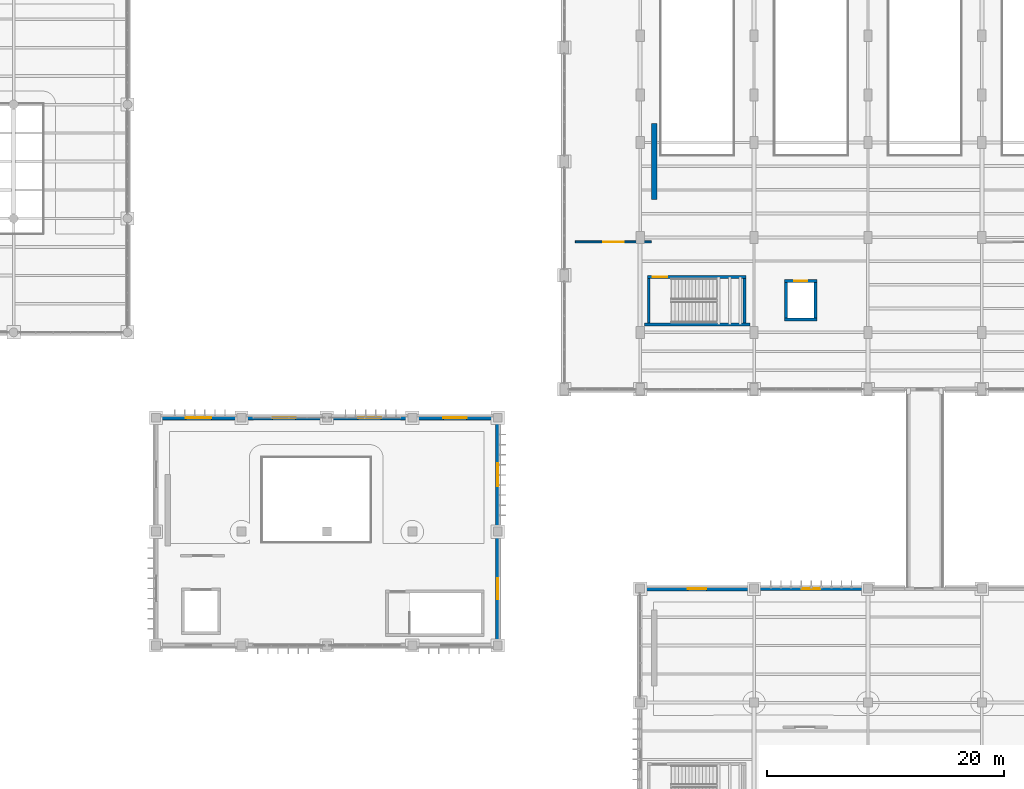
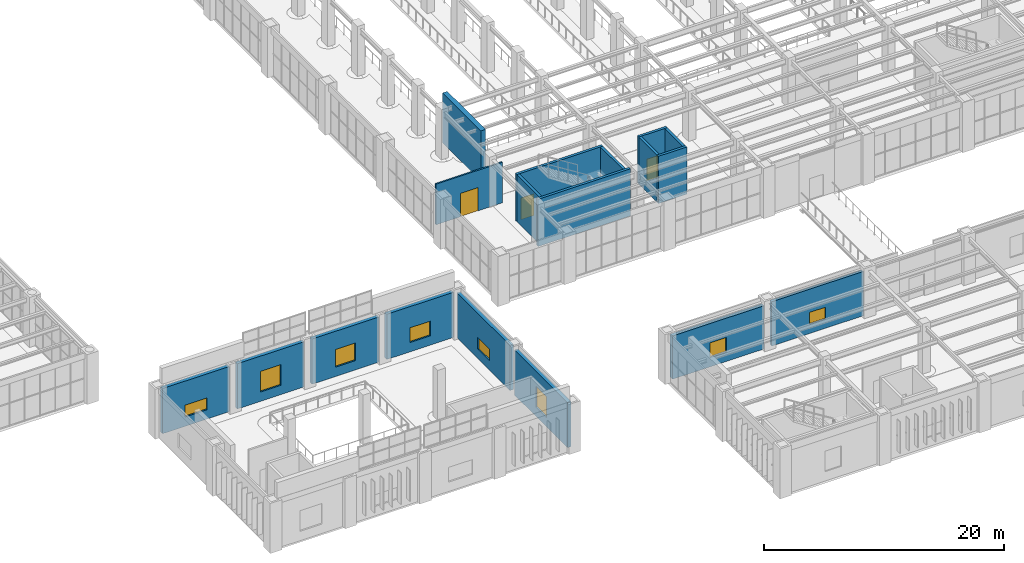
# One storey, part 143 of 174: 18 walls, 8 windows, 3 doors, 11 openings.
"""IFC4 building model written with IfcOpenShell, lengths in metres."""

from ifc_helpers import new_model, si_unit, direction, frame, frame_2d, origin, place, context, subcontext, project, spatial, rectangle, extrude, material, layer, layer_set, type_object, element, fill, save


model = new_model("IFC4")

# Units and contexts
model_context = context("Model", 3, precision=1e-05, world=origin(), true_north=direction((0.0, 1.0)))
body_context = subcontext(model_context, "Body", "Model", "MODEL_VIEW")
ifc_project = project(units=[si_unit("LENGTHUNIT", "METRE"), si_unit("AREAUNIT", "SQUARE_METRE"), si_unit("VOLUMEUNIT", "CUBIC_METRE"), si_unit("PLANEANGLEUNIT", "RADIAN"), si_unit("MASSUNIT", "GRAM", prefix="KILO")], contexts=[model_context])

# Site, building, storey
site_placement = place(None, origin())
site = spatial("IfcSite", under=ifc_project, at=site_placement, CompositionType="ELEMENT")
building_placement = place(site_placement, origin())
building = spatial("IfcBuilding", under=site, at=building_placement, Name="Mavantir Sound Aquarium", CompositionType="ELEMENT")
storey_placement = place(building_placement, frame((0.0, 0.0, 5.39990234375)))
storey = spatial("IfcBuildingStorey", under=building, at=storey_placement, Name="L01", CompositionType="ELEMENT", Elevation=5.39990234375)

# Wall, opening, window
ifc_material_1 = material(Name="Coral-Buff Architectural Precast Concrete C40/50", Category="concrete")
ifc_layer_1 = layer(ifc_material_1, 0.340087890625, Name="Coral-Buff Architectural Precast Concrete C40/50")
ifc_layer_set_1 = layer_set([ifc_layer_1], Name="Coral-Buff Architectural Precast Concrete C40/50")
wall_type_1 = type_object("IfcWallType", Name="EW-CORAL-340", PredefinedType="SOLIDWALL", material=ifc_layer_set_1)
wall_1_placement = place(storey_placement, frame((96.0, 14.782958984375, 0.0), z_axis=(0.0, 0.0, 1.0), x_axis=(0.0, 1.0, 0.0)))
wall_1 = element("IfcWall", 1, at=wall_1_placement, inside=storey, type_object=wall_type_1, Name="L01 exterior facade wall EW-01 191", PredefinedType="SOLIDWALL", context=body_context, shape_type="SweptSolid", body=[
    extrude(rectangle(XDim=8.833984375, YDim=0.340087890625, at=frame_2d((4.4169921875, 0.0))), origin(), (0.0, 0.0, 1.0), 4.605712890625),
])
opening_1_placement = place(wall_1_placement, frame((3.5419921875, 0.0, 0.949951171875)))
opening_1 = element("IfcOpeningElement", 2, at=opening_1_placement, cuts=wall_1, Name="Opening W-20", PredefinedType="OPENING", context=body_context, shape_type="SweptSolid", body=[
    extrude(rectangle(XDim=1.75, YDim=2.10009765625, at=frame_2d((0.875, 1.050048828125))), frame((0.0, 0.18017578125, 0.0), z_axis=(0.0, -1.0, 0.0), x_axis=(1.0, 0.0, 0.0)), (0.0, 0.0, 1.0), 0.360107421875),
])
ifc_material_2 = material(Name="Thermally Broken Aluminium and Low-E Glass", Category="aluminium")
window_type_1 = type_object("IfcWindowType", Name="WIN-EXT-20", PartitioningType="DOUBLE_PANEL_VERTICAL", PredefinedType="WINDOW", material=ifc_material_2)
window_1_placement = place(opening_1_placement, origin())
window_1 = element("IfcWindow", 3, at=window_1_placement, inside=storey, type_object=window_type_1, Name="L01 facade window W-20 68", OverallHeight=2.10009765625, OverallWidth=1.75, PartitioningType="SINGLE_PANEL", PredefinedType="WINDOW", context=body_context, shape_type="SweptSolid", body=[
    extrude(rectangle(XDim=1.75, YDim=2.10009765625, at=frame_2d((0.875, 1.050048828125))), frame((0.0, 0.030029296875, 0.0), z_axis=(0.0, -1.0, 0.0), x_axis=(1.0, 0.0, 0.0)), (0.0, 0.0, 1.0), 0.06005859375),
])
fill(opening_1, window_1)

wall_2_placement = place(storey_placement, frame((96.0, 24.383056640625, 0.0), z_axis=(0.0, 0.0, 1.0), x_axis=(0.0, 1.0, 0.0)))
wall_2 = element("IfcWall", 4, at=wall_2_placement, inside=storey, type_object=wall_type_1, Name="L01 exterior facade wall EW-01 192", PredefinedType="SOLIDWALL", context=body_context, shape_type="SweptSolid", body=[
    extrude(rectangle(XDim=8.833984375, YDim=0.340087890625, at=frame_2d((4.4169921875, 0.0))), origin(), (0.0, 0.0, 1.0), 4.605712890625),
])
opening_2_placement = place(wall_2_placement, frame((3.44189453125, 0.0, 0.949951171875)))
opening_2 = element("IfcOpeningElement", 5, at=opening_2_placement, cuts=wall_2, Name="Opening W-21", PredefinedType="OPENING", context=body_context, shape_type="SweptSolid", body=[
    extrude(rectangle(XDim=1.949951171875, YDim=1.199951171875, at=frame_2d((0.97509765625, 0.60009765625))), frame((0.0, 0.18017578125, 0.0), z_axis=(0.0, -1.0, 0.0), x_axis=(1.0, 0.0, 0.0)), (0.0, 0.0, 1.0), 0.360107421875),
])
window_type_2 = type_object("IfcWindowType", Name="WIN-EXT-21", PartitioningType="DOUBLE_PANEL_VERTICAL", PredefinedType="WINDOW", material=ifc_material_2)
window_2_placement = place(opening_2_placement, origin())
window_2 = element("IfcWindow", 6, at=window_2_placement, inside=storey, type_object=window_type_2, Name="L01 facade window W-21 69", OverallHeight=1.199951171875, OverallWidth=1.949951171875, PartitioningType="SINGLE_PANEL", PredefinedType="WINDOW", context=body_context, shape_type="SweptSolid", body=[
    extrude(rectangle(XDim=1.949951171875, YDim=1.199951171875, at=frame_2d((0.97509765625, 0.60009765625))), frame((0.0, 0.030029296875, 0.0), z_axis=(0.0, -1.0, 0.0), x_axis=(1.0, 0.0, 0.0)), (0.0, 0.0, 1.0), 0.06005859375),
])
fill(opening_2, window_2)

wall_3_placement = place(storey_placement, frame((95.616943359375, 33.60009765625, 0.0), z_axis=(0.0, 0.0, 1.0), x_axis=(-1.0, 0.0, 0.0)))
wall_3 = element("IfcWall", 7, at=wall_3_placement, inside=storey, type_object=wall_type_1, Name="L01 exterior facade wall EW-01 193", PredefinedType="SOLIDWALL", context=body_context, shape_type="SweptSolid", body=[
    extrude(rectangle(XDim=6.433837890625, YDim=0.340087890625, at=frame_2d((3.216796875, 0.0))), origin(), (0.0, 0.0, 1.0), 4.605712890625),
])
opening_3_placement = place(wall_3_placement, frame((2.241943359375, 0.0, 0.949951171875)))
opening_3 = element("IfcOpeningElement", 8, at=opening_3_placement, cuts=wall_3, Name="Opening W-22", PredefinedType="OPENING", context=body_context, shape_type="SweptSolid", body=[
    extrude(rectangle(XDim=1.949951171875, YDim=1.5, at=frame_2d((0.97509765625, 0.75))), frame((0.0, 0.18017578125, 0.0), z_axis=(0.0, -1.0, 0.0), x_axis=(1.0, 0.0, 0.0)), (0.0, 0.0, 1.0), 0.360107421875),
])
window_type_3 = type_object("IfcWindowType", Name="WIN-EXT-22", PartitioningType="DOUBLE_PANEL_VERTICAL", PredefinedType="WINDOW", material=ifc_material_2)
window_3_placement = place(opening_3_placement, origin())
window_3 = element("IfcWindow", 9, at=window_3_placement, inside=storey, type_object=window_type_3, Name="L01 facade window W-22 70", OverallHeight=1.5, OverallWidth=1.949951171875, PartitioningType="SINGLE_PANEL", PredefinedType="WINDOW", context=body_context, shape_type="SweptSolid", body=[
    extrude(rectangle(XDim=1.949951171875, YDim=1.5, at=frame_2d((0.97509765625, 0.75))), frame((0.0, 0.030029296875, 0.0), z_axis=(0.0, -1.0, 0.0), x_axis=(1.0, 0.0, 0.0)), (0.0, 0.0, 1.0), 0.06005859375),
])
fill(opening_3, window_3)

wall_4_placement = place(storey_placement, frame((88.4169921875, 33.60009765625, 0.0), z_axis=(0.0, 0.0, 1.0), x_axis=(-1.0, 0.0, 0.0)))
wall_4 = element("IfcWall", 10, at=wall_4_placement, inside=storey, type_object=wall_type_1, Name="L01 exterior facade wall EW-01 194", PredefinedType="SOLIDWALL", context=body_context, shape_type="SweptSolid", body=[
    extrude(rectangle(XDim=6.43408203125, YDim=0.340087890625, at=frame_2d((3.217041015625, 0.0))), origin(), (0.0, 0.0, 1.0), 4.605712890625),
])
opening_4_placement = place(wall_4_placement, frame((2.241943359375, 0.0, 0.949951171875)))
opening_4 = element("IfcOpeningElement", 11, at=opening_4_placement, cuts=wall_4, Name="Opening W-23", PredefinedType="OPENING", context=body_context, shape_type="SweptSolid", body=[
    extrude(rectangle(XDim=1.949951171875, YDim=1.800048828125, at=frame_2d((0.97509765625, 0.89990234375))), frame((0.0, 0.18017578125, 0.0), z_axis=(0.0, -1.0, 0.0), x_axis=(1.0, 0.0, 0.0)), (0.0, 0.0, 1.0), 0.360107421875),
])
window_type_4 = type_object("IfcWindowType", Name="WIN-EXT-23", PartitioningType="DOUBLE_PANEL_VERTICAL", PredefinedType="WINDOW", material=ifc_material_2)
window_4_placement = place(opening_4_placement, origin())
window_4 = element("IfcWindow", 12, at=window_4_placement, inside=storey, type_object=window_type_4, Name="L01 facade window W-23 71", OverallHeight=1.800048828125, OverallWidth=1.949951171875, PartitioningType="SINGLE_PANEL", PredefinedType="WINDOW", context=body_context, shape_type="SweptSolid", body=[
    extrude(rectangle(XDim=1.949951171875, YDim=1.800048828125, at=frame_2d((0.97509765625, 0.89990234375))), frame((0.0, 0.030029296875, 0.0), z_axis=(0.0, -1.0, 0.0), x_axis=(1.0, 0.0, 0.0)), (0.0, 0.0, 1.0), 0.06005859375),
])
fill(opening_4, window_4)

wall_5_placement = place(storey_placement, frame((81.217041015625, 33.60009765625, 0.0), z_axis=(0.0, 0.0, 1.0), x_axis=(-1.0, 0.0, 0.0)))
wall_5 = element("IfcWall", 13, at=wall_5_placement, inside=storey, type_object=wall_type_1, Name="L01 exterior facade wall EW-01 195", PredefinedType="SOLIDWALL", context=body_context, shape_type="SweptSolid", body=[
    extrude(rectangle(XDim=6.43408203125, YDim=0.340087890625, at=frame_2d((3.217041015625, 0.0))), origin(), (0.0, 0.0, 1.0), 4.605712890625),
])
opening_5_placement = place(wall_5_placement, frame((2.241943359375, 0.0, 0.949951171875)))
opening_5 = element("IfcOpeningElement", 14, at=opening_5_placement, cuts=wall_5, Name="Opening W-24", PredefinedType="OPENING", context=body_context, shape_type="SweptSolid", body=[
    extrude(rectangle(XDim=1.949951171875, YDim=2.10009765625, at=frame_2d((0.97509765625, 1.050048828125))), frame((0.0, 0.18017578125, 0.0), z_axis=(0.0, -1.0, 0.0), x_axis=(1.0, 0.0, 0.0)), (0.0, 0.0, 1.0), 0.360107421875),
])
window_type_5 = type_object("IfcWindowType", Name="WIN-EXT-24", PartitioningType="DOUBLE_PANEL_VERTICAL", PredefinedType="WINDOW", material=ifc_material_2)
window_5_placement = place(opening_5_placement, origin())
window_5 = element("IfcWindow", 15, at=window_5_placement, inside=storey, type_object=window_type_5, Name="L01 facade window W-24 72", OverallHeight=2.10009765625, OverallWidth=1.949951171875, PartitioningType="SINGLE_PANEL", PredefinedType="WINDOW", context=body_context, shape_type="SweptSolid", body=[
    extrude(rectangle(XDim=1.949951171875, YDim=2.10009765625, at=frame_2d((0.97509765625, 1.050048828125))), frame((0.0, 0.030029296875, 0.0), z_axis=(0.0, -1.0, 0.0), x_axis=(1.0, 0.0, 0.0)), (0.0, 0.0, 1.0), 0.06005859375),
])
fill(opening_5, window_5)

wall_6_placement = place(storey_placement, frame((74.01708984375, 33.60009765625, 0.0), z_axis=(0.0, 0.0, 1.0), x_axis=(-1.0, 0.0, 0.0)))
wall_6 = element("IfcWall", 16, at=wall_6_placement, inside=storey, type_object=wall_type_1, Name="L01 exterior facade wall EW-01 196", PredefinedType="SOLIDWALL", context=body_context, shape_type="SweptSolid", body=[
    extrude(rectangle(XDim=6.43408203125, YDim=0.340087890625, at=frame_2d((3.217041015625, 0.0))), origin(), (0.0, 0.0, 1.0), 4.605712890625),
])
opening_6_placement = place(wall_6_placement, frame((2.14208984375, 0.0, 0.949951171875)))
opening_6 = element("IfcOpeningElement", 17, at=opening_6_placement, cuts=wall_6, Name="Opening W-25", PredefinedType="OPENING", context=body_context, shape_type="SweptSolid", body=[
    extrude(rectangle(XDim=2.14990234375, YDim=1.199951171875, at=frame_2d((1.074951171875, 0.60009765625))), frame((0.0, 0.18017578125, 0.0), z_axis=(0.0, -1.0, 0.0), x_axis=(1.0, 0.0, 0.0)), (0.0, 0.0, 1.0), 0.360107421875),
])
window_type_6 = type_object("IfcWindowType", Name="WIN-EXT-25", PartitioningType="DOUBLE_PANEL_VERTICAL", PredefinedType="WINDOW", material=ifc_material_2)
window_6_placement = place(opening_6_placement, origin())
window_6 = element("IfcWindow", 18, at=window_6_placement, inside=storey, type_object=window_type_6, Name="L01 facade window W-25 73", OverallHeight=1.199951171875, OverallWidth=2.14990234375, PartitioningType="SINGLE_PANEL", PredefinedType="WINDOW", context=body_context, shape_type="SweptSolid", body=[
    extrude(rectangle(XDim=2.14990234375, YDim=1.199951171875, at=frame_2d((1.074951171875, 0.60009765625))), frame((0.0, 0.030029296875, 0.0), z_axis=(0.0, -1.0, 0.0), x_axis=(1.0, 0.0, 0.0)), (0.0, 0.0, 1.0), 0.06005859375),
])
fill(opening_6, window_6)

ifc_layer_2 = layer(ifc_material_1, 0.360107421875, Name="Coral-Buff Architectural Precast Concrete C40/50")
ifc_layer_set_2 = layer_set([ifc_layer_2], Name="Coral-Buff Architectural Precast Concrete C40/50")
wall_type_2 = type_object("IfcWallType", Name="EW-PRE-360", PredefinedType="SOLIDWALL", material=ifc_layer_set_2)
wall_7_placement = place(storey_placement, frame((117.217041015625, 19.199951171875, 0.0), z_axis=(0.0, 0.0, 1.0), x_axis=(-1.0, 0.0, 0.0)))
wall_7 = element("IfcWall", 19, at=wall_7_placement, inside=storey, type_object=wall_type_2, Name="L01 exterior facade wall EW-05 185", PredefinedType="SOLIDWALL", context=body_context, shape_type="SweptSolid", body=[
    extrude(rectangle(XDim=8.833984375, YDim=0.360107421875, at=frame_2d((4.4169921875, 0.0))), origin(), (0.0, 0.0, 1.0), 4.408203125),
])
opening_7_placement = place(wall_7_placement, frame((3.64208984375, 0.0, 0.949951171875)))
opening_7 = element("IfcOpeningElement", 20, at=opening_7_placement, cuts=wall_7, Name="Opening W-14", PredefinedType="OPENING", context=body_context, shape_type="SweptSolid", body=[
    extrude(rectangle(XDim=1.550048828125, YDim=1.5, at=frame_2d((0.77490234375, 0.75))), frame((0.0, 0.18994140625, 0.0), z_axis=(0.0, -1.0, 0.0), x_axis=(1.0, 0.0, 0.0)), (0.0, 0.0, 1.0), 0.380126953125),
])
window_type_7 = type_object("IfcWindowType", Name="WIN-EXT-14", PartitioningType="SINGLE_PANEL", PredefinedType="WINDOW", material=ifc_material_2)
window_7_placement = place(opening_7_placement, origin())
window_7 = element("IfcWindow", 21, at=window_7_placement, inside=storey, type_object=window_type_7, Name="L01 facade window W-14 62", OverallHeight=1.5, OverallWidth=1.550048828125, PartitioningType="SINGLE_PANEL", PredefinedType="WINDOW", context=body_context, shape_type="SweptSolid", body=[
    extrude(rectangle(XDim=1.550048828125, YDim=1.5, at=frame_2d((0.77490234375, 0.75))), frame((0.0, 0.030029296875, 0.0), z_axis=(0.0, -1.0, 0.0), x_axis=(1.0, 0.0, 0.0)), (0.0, 0.0, 1.0), 0.06005859375),
])
fill(opening_7, window_7)

ifc_material_3 = material(Name="Cerulean Glazed Terracotta Rainscreen on Concrete C40/50", Category="masonry")
ifc_layer_3 = layer(ifc_material_3, 0.27001953125, Name="Cerulean Glazed Terracotta Rainscreen on Concrete C40/50")
ifc_layer_set_3 = layer_set([ifc_layer_3], Name="Cerulean Glazed Terracotta Rainscreen on Concrete C40/50")
wall_type_3 = type_object("IfcWallType", Name="EW-TERRA-270", PredefinedType="SOLIDWALL", material=ifc_layer_set_3)
wall_8_placement = place(storey_placement, frame((126.81689453125, 19.199951171875, 0.0), z_axis=(0.0, 0.0, 1.0), x_axis=(-1.0, 0.0, 0.0)))
wall_8 = element("IfcWall", 22, at=wall_8_placement, inside=storey, type_object=wall_type_3, Name="L01 exterior facade wall EW-04 184", PredefinedType="SOLIDWALL", context=body_context, shape_type="SweptSolid", body=[
    extrude(rectangle(XDim=8.833984375, YDim=0.27001953125, at=frame_2d((4.4169921875, 0.0))), origin(), (0.0, 0.0, 1.0), 4.51318359375),
])
opening_8_placement = place(wall_8_placement, frame((3.64208984375, 0.0, 0.949951171875)))
opening_8 = element("IfcOpeningElement", 23, at=opening_8_placement, cuts=wall_8, Name="Opening W-13", PredefinedType="OPENING", context=body_context, shape_type="SweptSolid", body=[
    extrude(rectangle(XDim=1.550048828125, YDim=1.199951171875, at=frame_2d((0.77490234375, 0.60009765625))), frame((0.0, 0.14501953125, 0.0), z_axis=(0.0, -1.0, 0.0), x_axis=(1.0, 0.0, 0.0)), (0.0, 0.0, 1.0), 0.2900390625),
])
window_type_8 = type_object("IfcWindowType", Name="WIN-EXT-13", PartitioningType="SINGLE_PANEL", PredefinedType="WINDOW", material=ifc_material_2)
window_8_placement = place(opening_8_placement, origin())
window_8 = element("IfcWindow", 24, at=window_8_placement, inside=storey, type_object=window_type_8, Name="L01 facade window W-13 61", OverallHeight=1.199951171875, OverallWidth=1.550048828125, PartitioningType="SINGLE_PANEL", PredefinedType="WINDOW", context=body_context, shape_type="SweptSolid", body=[
    extrude(rectangle(XDim=1.550048828125, YDim=1.199951171875, at=frame_2d((0.77490234375, 0.60009765625))), frame((0.0, 0.030029296875, 0.0), z_axis=(0.0, -1.0, 0.0), x_axis=(1.0, 0.0, 0.0)), (0.0, 0.0, 1.0), 0.06005859375),
])
fill(opening_8, window_8)

# Wall, opening, door
ifc_material_4 = material(Name="Moisture-Resistant Marine Gypsum Partition", Category="gypsum")
ifc_layer_4 = layer(ifc_material_4, 0.14990234375, Name="Moisture-Resistant Marine Gypsum Partition")
ifc_layer_set_4 = layer_set([ifc_layer_4], Name="Moisture-Resistant Marine Gypsum Partition")
wall_type_4 = type_object("IfcWallType", Name="IW-PART-150", PredefinedType="PARTITIONING", material=ifc_layer_set_4)
wall_9_placement = place(storey_placement, frame((102.550048828125, 48.425048828125, 0.0), z_axis=(0.0, 0.0, 1.0), x_axis=(1.0, 0.0, 0.0)))
wall_9 = element("IfcWall", 25, at=wall_9_placement, inside=storey, type_object=wall_type_4, Name="L01 Scalloped Plinth Curatorial and Coral Reef Gallery entry partition", PredefinedType="PARTITIONING", context=body_context, shape_type="SweptSolid", body=[
    extrude(rectangle(XDim=6.39990234375, YDim=0.14990234375, at=frame_2d((3.199951171875, 0.0))), origin(), (0.0, 0.0, 1.0), 4.135009765625),
])
opening_9_placement = place(wall_9_placement, frame((2.340087890625, 0.0, 0.0)))
opening_9 = element("IfcOpeningElement", 26, at=opening_9_placement, cuts=wall_9, Name="Opening ID-16", PredefinedType="OPENING", context=body_context, shape_type="SweptSolid", body=[
    extrude(rectangle(XDim=1.719970703125, YDim=2.3798828125, at=frame_2d((0.85986328125, 1.18994140625))), frame((0.0, 0.0849609375, 0.0), z_axis=(0.0, -1.0, 0.0), x_axis=(1.0, 0.0, 0.0)), (0.0, 0.0, 1.0), 0.169921875),
])
ifc_material_5 = material(Name="Solid-Core Marine Hardwood and Vision-Panel Door", Category="wood")
door_type_1 = type_object("IfcDoorType", Name="DR-INT-16", OperationType="NOTDEFINED", PredefinedType="DOOR", material=ifc_material_5)
door_1_placement = place(opening_9_placement, origin())
door_1 = element("IfcDoor", 27, at=door_1_placement, inside=storey, type_object=door_type_1, Name="Scalloped Plinth Curatorial and Coral Reef Gallery door", OperationType="SINGLE_SWING_RIGHT", OverallHeight=2.3798828125, OverallWidth=1.719970703125, PredefinedType="DOOR", context=body_context, shape_type="SweptSolid", body=[
    extrude(rectangle(XDim=1.719970703125, YDim=2.3798828125, at=frame_2d((0.85986328125, 1.18994140625))), frame((0.0, 0.02490234375, 0.0), z_axis=(0.0, -1.0, 0.0), x_axis=(1.0, 0.0, 0.0)), (0.0, 0.0, 1.0), 0.050048828125),
])
fill(opening_9, door_1)

# Wall
ifc_material_6 = material(Name="Concrete C40/50", Category="concrete")
ifc_layer_5 = layer(ifc_material_6, 0.25, Name="Concrete C40/50")
ifc_layer_set_5 = layer_set([ifc_layer_5], Name="Concrete C40/50")
wall_type_5 = type_object("IfcWallType", Name="IW-SHAFT-250", PredefinedType="SHEAR", material=ifc_layer_set_5)
wall_10_placement = place(storey_placement, frame((108.35009765625, 41.47509765625, 0.0), z_axis=(0.0, 0.0, 1.0), x_axis=(1.0, 0.0, 0.0)))
element("IfcWall", 28, at=wall_10_placement, inside=storey, type_object=wall_type_5, Name="L01 stair ST4 shaft wall S", PredefinedType="SHEAR", context=body_context, shape_type="SweptSolid", body=[
    extrude(rectangle(XDim=8.89990234375, YDim=0.25, at=frame_2d((4.449951171875, 0.0))), origin(), (0.0, 0.0, 1.0), 4.81005859375),
])

# Wall, opening, door
wall_11_placement = place(storey_placement, frame((116.89990234375, 45.47509765625, 0.0), z_axis=(0.0, 0.0, 1.0), x_axis=(-1.0, 0.0, 0.0)))
wall_11 = element("IfcWall", 29, at=wall_11_placement, inside=storey, type_object=wall_type_5, Name="L01 stair ST4 shaft wall N", PredefinedType="SHEAR", context=body_context, shape_type="SweptSolid", body=[
    extrude(rectangle(XDim=8.2998046875, YDim=0.25, at=frame_2d((4.14990234375, 0.0))), origin(), (0.0, 0.0, 1.0), 4.81005859375),
])
opening_10_placement = place(wall_11_placement, frame((7.85009765625, 0.0, 0.0), z_axis=(0.0, 0.0, 1.0), x_axis=(-1.0, 0.0, 0.0)))
opening_10 = element("IfcOpeningElement", 30, at=opening_10_placement, cuts=wall_11, Name="Opening SD-01", PredefinedType="OPENING", context=body_context, shape_type="SweptSolid", body=[
    extrude(rectangle(XDim=1.25, YDim=2.199951171875, at=frame_2d((0.625, 1.10009765625))), frame((0.0, 0.135009765625, 0.0), z_axis=(0.0, -1.0, 0.0), x_axis=(1.0, 0.0, 0.0)), (0.0, 0.0, 1.0), 0.27001953125),
])
ifc_material_7 = material(Name="Fire-Rated Steel Acoustic Door Leaf", Category="steel")
door_type_2 = type_object("IfcDoorType", Name="DR-ST-125", OperationType="NOTDEFINED", PredefinedType="DOOR", material=ifc_material_7)
door_2_placement = place(opening_10_placement, origin())
door_2 = element("IfcDoor", 31, at=door_2_placement, inside=storey, type_object=door_type_2, Name="L01 protected exit stair ST4 door", OperationType="SINGLE_SWING_RIGHT", OverallHeight=2.199951171875, OverallWidth=1.25, PredefinedType="DOOR", context=body_context, shape_type="SweptSolid", body=[
    extrude(rectangle(XDim=1.25, YDim=2.199951171875, at=frame_2d((0.625, 1.10009765625))), frame((0.0, 0.02490234375, 0.0), z_axis=(0.0, -1.0, 0.0), x_axis=(1.0, 0.0, 0.0)), (0.0, 0.0, 1.0), 0.050048828125),
])
fill(opening_10, door_2)

# Walls
for number, where, z_axis, x_axis, name in (
    (32, (108.72509765625, 45.35009765625, 0.0), (0.0, 0.0, 1.0), (0.0, -1.0, 0.0), "L01 stair ST4 shaft wall W"),
    (33, (116.77490234375, 41.60009765625, 0.0), (0.0, 0.0, 1.0), (0.0, 1.0, 0.0), "L01 stair ST4 shaft wall E"),
):
    element("IfcWall", number, at=place(storey_placement, frame(where, z_axis=z_axis, x_axis=x_axis)), inside=storey, type_object=wall_type_5, Name=name, PredefinedType="SHEAR", context=body_context, shape_type="SweptSolid", body=[
        extrude(rectangle(XDim=3.75, YDim=0.25, at=frame_2d((1.875, 0.0))), origin(), (0.0, 0.0, 1.0), 4.81005859375),
    ])
wall_12_placement = place(storey_placement, frame((120.14990234375, 41.875, 0.0), z_axis=(0.0, 0.0, 1.0), x_axis=(1.0, 0.0, 0.0)))
element("IfcWall", 34, at=wall_12_placement, inside=storey, type_object=wall_type_5, Name="L01 lift LC4 shaft wall S", PredefinedType="SHEAR", context=body_context, shape_type="SweptSolid", body=[
    extrude(rectangle(XDim=2.75, YDim=0.25, at=frame_2d((1.375, 0.0))), origin(), (0.0, 0.0, 1.0), 4.81005859375),
])

# Wall, opening, door
wall_13_placement = place(storey_placement, frame((120.14990234375, 45.125, 0.0), z_axis=(0.0, 0.0, 1.0), x_axis=(1.0, 0.0, 0.0)))
wall_13 = element("IfcWall", 35, at=wall_13_placement, inside=storey, type_object=wall_type_5, Name="L01 lift LC4 shaft wall N", PredefinedType="SHEAR", context=body_context, shape_type="SweptSolid", body=[
    extrude(rectangle(XDim=2.75, YDim=0.25, at=frame_2d((1.375, 0.0))), origin(), (0.0, 0.0, 1.0), 4.81005859375),
])
opening_11_placement = place(wall_13_placement, frame((0.824951171875, 0.0, 0.0)))
opening_11 = element("IfcOpeningElement", 36, at=opening_11_placement, cuts=wall_13, Name="Opening LD-02", PredefinedType="OPENING", context=body_context, shape_type="SweptSolid", body=[
    extrude(rectangle(XDim=1.10009765625, YDim=2.199951171875, at=frame_2d((0.550048828125, 1.10009765625))), frame((0.0, 0.135009765625, 0.0), z_axis=(0.0, -1.0, 0.0), x_axis=(1.0, 0.0, 0.0)), (0.0, 0.0, 1.0), 0.27001953125),
])
ifc_material_8 = material(Name="Stainless Steel 316 Sliding Lift Landing Door", Category="steel")
door_type_3 = type_object("IfcDoorType", Name="DR-LD-110", OperationType="NOTDEFINED", PredefinedType="DOOR", material=ifc_material_8)
door_3_placement = place(opening_11_placement, origin())
door_3 = element("IfcDoor", 37, at=door_3_placement, inside=storey, type_object=door_type_3, Name="Lift LC4 sliding landing door (L01)", OperationType="DOUBLE_DOOR_SLIDING", OverallHeight=2.199951171875, OverallWidth=1.10009765625, PredefinedType="DOOR", context=body_context, shape_type="SweptSolid", body=[
    extrude(rectangle(XDim=1.10009765625, YDim=2.199951171875, at=frame_2d((0.550048828125, 1.10009765625))), frame((0.0, 0.02490234375, 0.0), z_axis=(0.0, -1.0, 0.0), x_axis=(1.0, 0.0, 0.0)), (0.0, 0.0, 1.0), 0.050048828125),
])
fill(opening_11, door_3)

# Walls
for number, where, z_axis, x_axis, name in (
    (38, (120.27490234375, 42.0, 0.0), (0.0, 0.0, 1.0), (0.0, 1.0, 0.0), "L01 lift LC4 shaft wall W"),
    (39, (122.77490234375, 42.0, 0.0), (0.0, 0.0, 1.0), (0.0, 1.0, 0.0), "L01 lift LC4 shaft wall E"),
):
    element("IfcWall", number, at=place(storey_placement, frame(where, z_axis=z_axis, x_axis=x_axis)), inside=storey, type_object=wall_type_5, Name=name, PredefinedType="SHEAR", context=body_context, shape_type="SweptSolid", body=[
        extrude(rectangle(XDim=3.0, YDim=0.25, at=frame_2d((1.5, 0.0))), origin(), (0.0, 0.0, 1.0), 4.81005859375),
    ])
ifc_layer_6 = layer(ifc_material_6, 0.449951171875, Name="Concrete C40/50")
ifc_layer_set_6 = layer_set([ifc_layer_6], Name="Concrete C40/50")
wall_type_6 = type_object("IfcWallType", Name="SW-SHR-450", PredefinedType="SHEAR", material=ifc_layer_set_6)
wall_14_placement = place(storey_placement, frame((109.199951171875, 52.0, 0.0), z_axis=(0.0, 0.0, 1.0), x_axis=(0.0, 1.0, 0.0)))
element("IfcWall", 40, at=wall_14_placement, inside=storey, type_object=wall_type_6, Name="L01 special RC shear wall 27 (V4)", PredefinedType="SHEAR", context=body_context, shape_type="SweptSolid", body=[
    extrude(rectangle(XDim=6.39990234375, YDim=0.449951171875, at=frame_2d((3.199951171875, 0.0))), origin(), (0.0, 0.0, 1.0), 5.10009765625),
])

save(model, "model.ifc")
